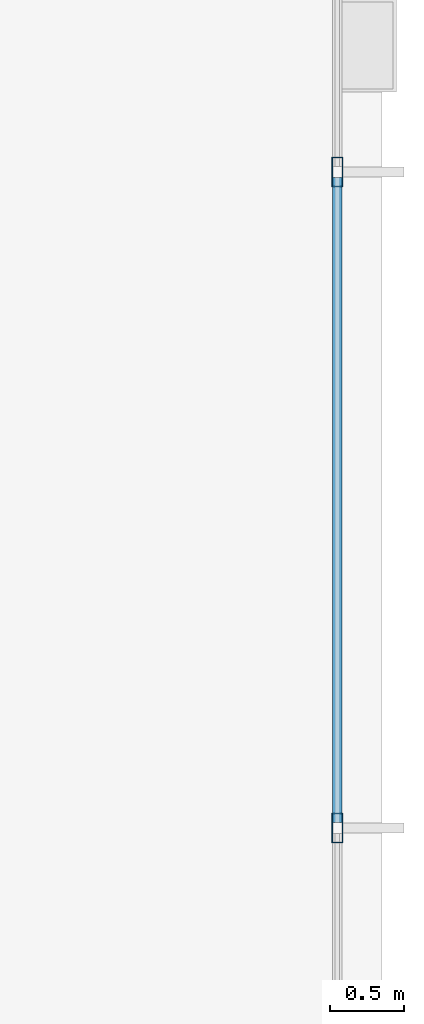
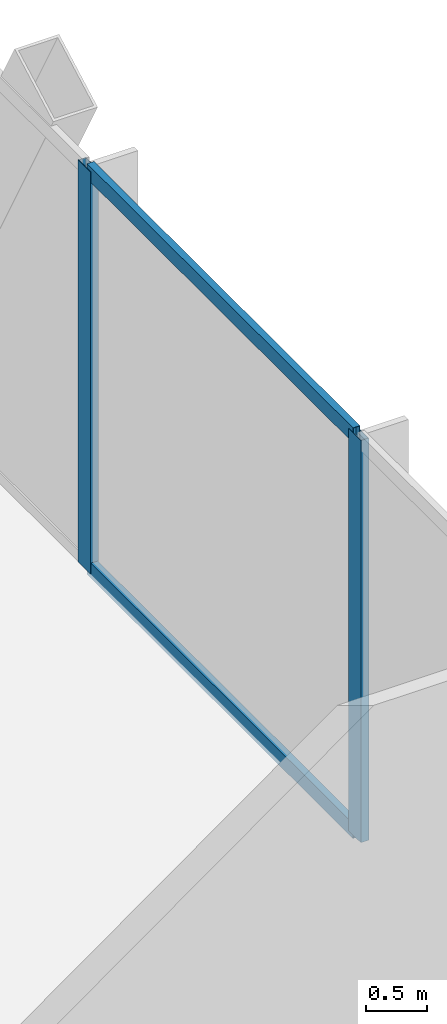
# One storey, part 22 of 42: 4 members, 1 element without a shape of its own.
"""IFC4 building model written with IfcOpenShell, lengths in metres."""

import ifcopenshell
import ifcopenshell.guid

model = None  # the IFC model being written
_history = None  # IfcOwnerHistory: only IFC2X3 demands one
_inside = {}  # id of a spatial element -> (the spatial element, [elements in it])
_under = {}  # id of a project, library or spatial element -> (it, [spatial elements below it])
_declared = {}  # id of a project -> (the project, [libraries it declares])
_typed = {}  # id of a type object -> (the type object, [elements of that type])
_made_of = {}  # id of a material, layer set ... -> (it, [elements and type objects made of it])


def new_model(schema):
    """Start an empty IFC model of exactly this schema.

    Asked for "IFC4X3", IfcOpenShell would pick the latest addendum, in which some entities
    have other attributes; the version numbers below select the first issue.
    IFC2X3 requires an IfcOwnerHistory on every rooted entity: one is made here for all.
    """
    global model, _history
    if schema == "IFC4X3":
        model = ifcopenshell.file(schema_version=(4, 3, 0, 0))
    else:
        model = ifcopenshell.file(schema=schema)
    _inside.clear()
    _under.clear()
    _declared.clear()
    _typed.clear()
    _made_of.clear()
    _history = None
    if model.schema == "IFC2X3":
        org = make("IfcOrganization", Name="unknown")
        user = make(
            "IfcPersonAndOrganization",
            ThePerson=make("IfcPerson", FamilyName="unknown"),
            TheOrganization=org,
        )
        app = make(
            "IfcApplication",
            ApplicationDeveloper=org,
            Version="unknown",
            ApplicationFullName="unknown",
            ApplicationIdentifier="unknown",
        )
        _history = make(
            "IfcOwnerHistory",
            OwningUser=user,
            OwningApplication=app,
            ChangeAction="ADDED",
            CreationDate=0,
        )
    return model


def make(cls, **values):
    """One entity of the class cls with the attributes given. An attribute that is None is left unset."""
    return model.create_entity(
        cls, **{name: value for name, value in values.items() if value is not None}
    )


def rooted(cls, **values):
    """An entity with a GlobalId (a new one), such as an element, a storey or a relation."""
    return make(cls, GlobalId=ifcopenshell.guid.new(), OwnerHistory=_history, **values)


def si_unit(unit_type, name, prefix=None):
    """IfcSIUnit, for example si_unit("LENGTHUNIT", "METRE", prefix="MILLI")."""
    return make("IfcSIUnit", UnitType=unit_type, Prefix=prefix, Name=name)


def assignment(units):
    """IfcUnitAssignment: the units of a project."""
    return None if units is None else make("IfcUnitAssignment", Units=units)


def point(xyz):
    """IfcCartesianPoint."""
    return None if xyz is None else make("IfcCartesianPoint", Coordinates=xyz)


def direction(xyz):
    """IfcDirection."""
    return None if xyz is None else make("IfcDirection", DirectionRatios=xyz)


def frame(location, z_axis=None, x_axis=None):
    """IfcAxis2Placement3D, a coordinate frame: its origin and axes. An axis left out is left unset."""
    return make(
        "IfcAxis2Placement3D",
        Location=point(location),
        Axis=direction(z_axis),
        RefDirection=direction(x_axis),
    )


def frame_2d(location, x_axis=None):
    """IfcAxis2Placement2D, a coordinate frame in the plane: its origin and x axis."""
    return make(
        "IfcAxis2Placement2D", Location=point(location), RefDirection=direction(x_axis)
    )


def origin():
    """The frame at (0, 0, 0) with its axes left unset."""
    return frame((0.0, 0.0, 0.0))


def origin_2d():
    """The frame at (0, 0) in the plane with its x axis left unset."""
    return frame_2d((0.0, 0.0))


def place(relative_to, where):
    """IfcLocalPlacement: puts the frame where relative to a parent placement (None: the world)."""
    return make(
        "IfcLocalPlacement", PlacementRelTo=relative_to, RelativePlacement=where
    )


def context(
    kind, dimensions, precision=None, world=None, true_north=None, identifier=None
):
    """IfcGeometricRepresentationContext, for example the 3D "Model" context."""
    return make(
        "IfcGeometricRepresentationContext",
        ContextIdentifier=identifier,
        ContextType=kind,
        CoordinateSpaceDimension=dimensions,
        Precision=precision,
        WorldCoordinateSystem=world,
        TrueNorth=true_north,
    )


def subcontext(parent, identifier, kind, view, scale=None):
    """IfcGeometricRepresentationSubContext, for example "Body" below "Model"."""
    return make(
        "IfcGeometricRepresentationSubContext",
        ContextIdentifier=identifier,
        ContextType=kind,
        ParentContext=parent,
        TargetScale=scale,
        TargetView=view,
    )


def project(units=None, contexts=None):
    """IfcProject with its units and contexts."""
    return rooted(
        "IfcProject",
        Name="project",
        RepresentationContexts=contexts,
        UnitsInContext=assignment(units),
    )


def spatial(cls, under=None, at=None, **own):
    """A site, building, storey or space (cls), placed at a placement, below another one or the project."""
    s = rooted(cls, ObjectPlacement=at, **own)
    if under is not None:
        _under.setdefault(under.id(), (under, []))[1].append(s)
    return s


def profile(cls, at=None, kind="AREA", **sizes):
    """A parametric profile (cls). Its sizes go by their IFC names, for example OverallWidth=200.0."""
    return make(cls, ProfileType=kind, Position=at, **sizes)


def hollow_rectangle(**sizes):
    """IfcRectangleHollowProfileDef."""
    return profile("IfcRectangleHollowProfileDef", **sizes)


def extrude(swept, where, along, depth):
    """IfcExtrudedAreaSolid: the profile swept, set in the frame where, extruded along a direction by depth."""
    return make(
        "IfcExtrudedAreaSolid",
        SweptArea=swept,
        Position=where,
        ExtrudedDirection=direction(along),
        Depth=depth,
    )


def shape(context_of_items, identifier, shape_type, items):
    """IfcShapeRepresentation: the items that make up one representation, for example the "Body"."""
    return make(
        "IfcShapeRepresentation",
        ContextOfItems=context_of_items,
        RepresentationIdentifier=identifier,
        RepresentationType=shape_type,
        Items=items,
    )


def material(Name=None, Category=None):
    """IfcMaterial."""
    return make("IfcMaterial", Name=Name, Category=Category)


def layer(
    of_material, thickness, ventilated=None, Name=None, Category=None, Priority=None
):
    """IfcMaterialLayer: one layer of a wall or slab, of a material (None: an air gap)."""
    return make(
        "IfcMaterialLayer",
        Material=of_material,
        LayerThickness=thickness,
        IsVentilated=ventilated,
        Name=Name,
        Category=Category,
        Priority=Priority,
    )


def layer_set(layers, Name=None):
    """IfcMaterialLayerSet."""
    return make("IfcMaterialLayerSet", MaterialLayers=layers, LayerSetName=Name)


def material_profile(
    of_material, cross_section, Name=None, Category=None, Priority=None
):
    """IfcMaterialProfile: a cross section and its material."""
    return make(
        "IfcMaterialProfile",
        Name=Name,
        Material=of_material,
        Profile=cross_section,
        Priority=Priority,
        Category=Category,
    )


def profile_set(profiles, Name=None, composite=None):
    """IfcMaterialProfileSet."""
    return make(
        "IfcMaterialProfileSet",
        Name=Name,
        MaterialProfiles=profiles,
        CompositeProfile=composite,
    )


def made_of(thing, what):
    """Note that an element or type object is made of a material, layer set ...; save() writes the relation."""
    if what is not None:
        _made_of.setdefault(what.id(), (what, []))[1].append(thing)
    return thing


def type_object(cls, material=None, **own):
    """A type object (cls), such as IfcWallType, which elements share."""
    return made_of(rooted(cls, **own), material)


def element(
    cls,
    number,
    at=None,
    inside=None,
    cuts=None,
    type_object=None,
    material=None,
    context=None,
    identifier="Body",
    shape_type=None,
    held_by="IfcProductDefinitionShape",
    body=None,
    shapes=None,
    **own,
):
    """One element of the class cls, such as IfcWall. Its Tag is "e" and its number.

    at: its placement. inside: the storey or other place that contains it. cuts: it is an
    opening in that element (IfcRelVoidsElement). A single representation is given by context,
    identifier, shape_type and body (its items); several are given by shapes. held_by: the class
    of the entity that holds the representations. save() writes the other relations.
    """
    e = rooted(cls, Tag="e%d" % number, ObjectPlacement=at, **own)
    if body is not None:
        shapes = [shape(context, identifier, shape_type, body)]
    if shapes is not None:
        e.Representation = make(held_by, Representations=shapes)
    if inside is not None:
        _inside.setdefault(inside.id(), (inside, []))[1].append(e)
    if cuts is not None:
        rooted(
            "IfcRelVoidsElement", RelatingBuildingElement=cuts, RelatedOpeningElement=e
        )
    if type_object is not None:
        _typed.setdefault(type_object.id(), (type_object, []))[1].append(e)
    return made_of(e, material)


def aggregate(whole, parts):
    """IfcRelAggregates: a whole, such as a stair, and the parts it consists of."""
    return rooted("IfcRelAggregates", RelatingObject=whole, RelatedObjects=parts)


def save(model, path):
    """Write the relations noted so far, then the file.

    IfcRelAggregates (storeys below a building ...), IfcRelContainedInSpatialStructure (elements
    in a storey), IfcRelDefinesByType, IfcRelAssociatesMaterial and IfcRelDeclares: one each for
    every whole, place, type object, material and project.
    """
    for whole, parts in _under.values():
        aggregate(whole, parts)
    for where, things in _inside.values():
        rooted(
            "IfcRelContainedInSpatialStructure",
            RelatedElements=things,
            RelatingStructure=where,
        )
    for kind, things in _typed.values():
        rooted("IfcRelDefinesByType", RelatedObjects=things, RelatingType=kind)
    for what, things in _made_of.values():
        rooted("IfcRelAssociatesMaterial", RelatedObjects=things, RelatingMaterial=what)
    for by, libraries in _declared.values():
        rooted("IfcRelDeclares", RelatingContext=by, RelatedDefinitions=libraries)
    model.write(path)


model = new_model("IFC4")

# Units and contexts
model_context = context("Model", 3, precision=1e-05, world=origin(), true_north=direction((0.0, 1.0)))
body_context = subcontext(model_context, "Body", "Model", "MODEL_VIEW")
ifc_project = project(units=[si_unit("LENGTHUNIT", "METRE"), si_unit("AREAUNIT", "SQUARE_METRE"), si_unit("VOLUMEUNIT", "CUBIC_METRE"), si_unit("PLANEANGLEUNIT", "RADIAN"), si_unit("MASSUNIT", "GRAM", prefix="KILO")], contexts=[model_context])

# Site, building, storey
site_placement = place(None, origin())
site = spatial("IfcSite", under=ifc_project, at=site_placement, CompositionType="ELEMENT")
building_placement = place(site_placement, origin())
building = spatial("IfcBuilding", under=site, at=building_placement, Name="Orvanel Arch Residences", CompositionType="ELEMENT")
storey_placement = place(building_placement, frame((0.0, 0.0, 9.800048828125)))
storey = spatial("IfcBuildingStorey", under=building, at=storey_placement, Name="L02", CompositionType="ELEMENT", Elevation=9.800048828125)

# Curtain wall, members
ifc_material = material(Name="Bronze-anodised aluminium AA6063-T6", Category="aluminium")
ifc_layer = layer(ifc_material, 0.199951171875)
ifc_layer_set = layer_set([ifc_layer], Name="Bronze-anodised aluminium AA6063-T6")
curtain_wall_type = type_object("IfcCurtainWallType", Name="CW1-POD-SYS", PredefinedType="NOTDEFINED", material=ifc_layer_set)
curtain_wall_placement = place(storey_placement, origin())
curtain_wall = element("IfcCurtainWall", 1, at=curtain_wall_placement, inside=storey, type_object=curtain_wall_type, Name="L02 CW1-POD-SYS Unitised Curtain Wall", PredefinedType="NOTDEFINED")
ifc_material_profile_1 = material_profile(ifc_material, hollow_rectangle(XDim=0.074951171875, YDim=0.199951171875, WallThickness=0.0048828125, at=origin_2d()), Name="ALU200x75x5")
ifc_profile_set_1 = profile_set([ifc_material_profile_1], Name="Bronze-anodised aluminium AA6063-T6")
member_type_1 = type_object("IfcMemberType", Name="MUL-200x75", PredefinedType="MULLION", material=ifc_profile_set_1)
member_1_placement = place(storey_placement, frame((64.449951171875, 27.5, 0.0), z_axis=(0.0, 0.0, 1.0), x_axis=(-1.0, 0.0, 0.0)))
member_1 = element("IfcMember", 2, at=member_1_placement, type_object=member_type_1, Name="CW-S1 mullion 3", PredefinedType="MULLION", context=body_context, shape_type="SweptSolid", body=[
    extrude(hollow_rectangle(XDim=0.074951171875, YDim=0.199951171875, WallThickness=0.0048828125, at=origin_2d()), origin(), (0.0, 0.0, 1.0), 4.02001953125),
])
member_2_placement = place(storey_placement, frame((64.449951171875, 31.929931640625, 0.0), z_axis=(0.0, 0.0, 1.0), x_axis=(-1.0, 0.0, 0.0)))
member_2 = element("IfcMember", 3, at=member_2_placement, type_object=member_type_1, Name="CW-S1 mullion 4", PredefinedType="MULLION", context=body_context, shape_type="SweptSolid", body=[
    extrude(hollow_rectangle(XDim=0.074951171875, YDim=0.199951171875, WallThickness=0.0048828125, at=origin_2d()), origin(), (0.0, 0.0, 1.0), 4.02001953125),
])
ifc_material_profile_2 = material_profile(ifc_material, hollow_rectangle(XDim=0.06494140625, YDim=0.14990234375, WallThickness=0.00390625, at=origin_2d()), Name="ALU150x65x4")
ifc_profile_set_2 = profile_set([ifc_material_profile_2], Name="Bronze-anodised aluminium AA6063-T6")
member_type_2 = type_object("IfcMemberType", Name="TRN-150x65", PredefinedType="USERDEFINED", material=ifc_profile_set_2)
member_3_placement = place(storey_placement, frame((64.449951171875, 27.53759765625, 0.032470703125), z_axis=(0.0, 1.0, 0.0), x_axis=(-1.0, 0.0, 0.0)))
member_3 = element("IfcMember", 4, at=member_3_placement, type_object=member_type_2, Name="CW-S1 transom 3.1", ObjectType="TRANSOM", PredefinedType="USERDEFINED", context=body_context, shape_type="SweptSolid", body=[
    extrude(hollow_rectangle(XDim=0.06494140625, YDim=0.14990234375, WallThickness=0.00390625, at=origin_2d()), origin(), (0.0, 0.0, 1.0), 4.35498046875),
])
member_4_placement = place(storey_placement, frame((64.449951171875, 27.53759765625, 3.987548828125), z_axis=(0.0, 1.0, 0.0), x_axis=(-1.0, 0.0, 0.0)))
member_4 = element("IfcMember", 5, at=member_4_placement, type_object=member_type_2, Name="CW-S1 transom 3.2", ObjectType="TRANSOM", PredefinedType="USERDEFINED", context=body_context, shape_type="SweptSolid", body=[
    extrude(hollow_rectangle(XDim=0.06494140625, YDim=0.14990234375, WallThickness=0.00390625, at=origin_2d()), origin(), (0.0, 0.0, 1.0), 4.35498046875),
])
aggregate(curtain_wall, [member_1, member_2, member_3, member_4])

save(model, "model.ifc")
